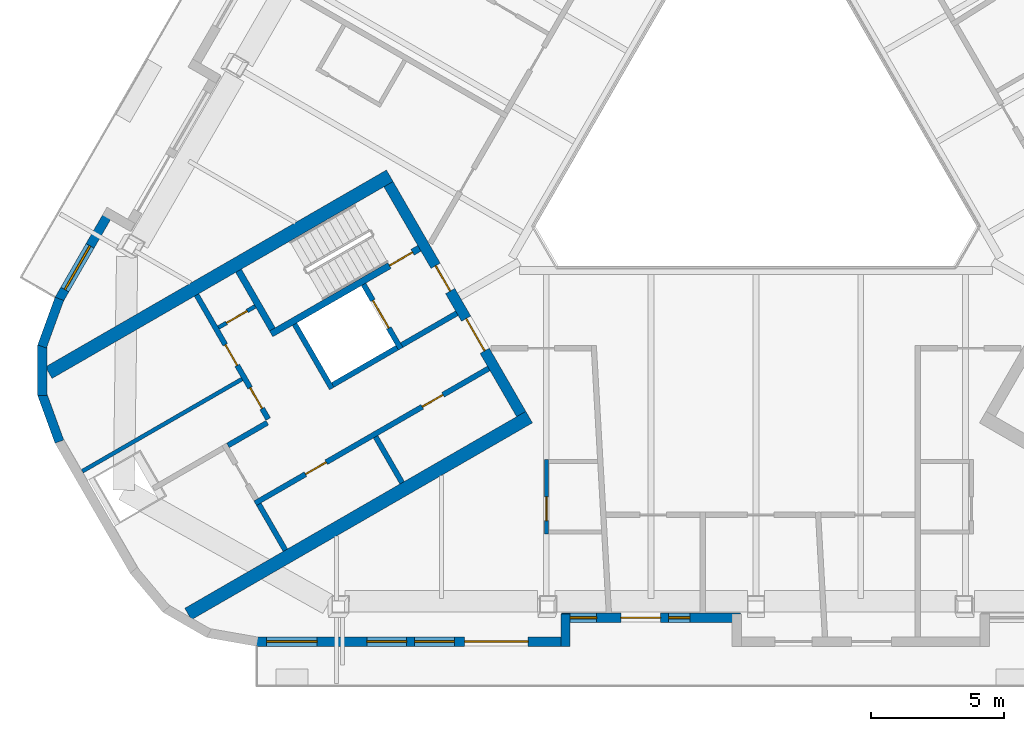
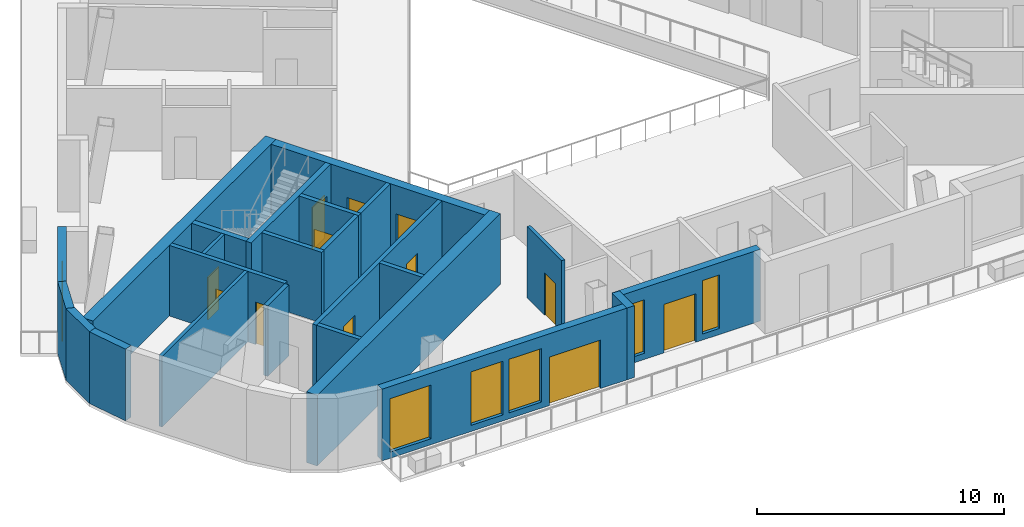
# One storey, part 3 of 14: 24 walls, 12 doors, 6 windows, 18 openings.
"""IFC4 building model written with IfcOpenShell, lengths in metres."""

from ifc_helpers import new_model, si_unit, direction, frame, frame_2d, origin, place, context, subcontext, project, spatial, rectangle, extrude, material, layer, layer_set, type_object, element, fill, save


model = new_model("IFC4")

# Units and contexts
model_context = context("Model", 3, precision=1e-05, world=origin(), true_north=direction((0.0, 1.0)))
body_context = subcontext(model_context, "Body", "Model", "MODEL_VIEW")
ifc_project = project(units=[si_unit("LENGTHUNIT", "METRE"), si_unit("AREAUNIT", "SQUARE_METRE"), si_unit("VOLUMEUNIT", "CUBIC_METRE"), si_unit("PLANEANGLEUNIT", "RADIAN"), si_unit("MASSUNIT", "GRAM", prefix="KILO")], contexts=[model_context])

# Site, building, storey
site_placement = place(None, origin())
site = spatial("IfcSite", under=ifc_project, at=site_placement, CompositionType="ELEMENT")
building_placement = place(site_placement, origin())
building = spatial("IfcBuilding", under=site, at=building_placement, Name="Apuvela Tower Hotel", CompositionType="ELEMENT")
storey_placement = place(building_placement, frame((0.0, 0.0, 254.10009765625)))
storey = spatial("IfcBuildingStorey", under=building, at=storey_placement, Name="L62", CompositionType="ELEMENT", Elevation=254.10009765625)

# Wall, openings, doors
ifc_material_1 = material(Name="Concrete C50/60", Category="concrete")
ifc_layer_1 = layer(ifc_material_1, 0.39990234375)
ifc_layer_set_1 = layer_set([ifc_layer_1], Name="COR-WALL-CORE-400")
wall_type_1 = type_object("IfcWallType", Name="COR-WALL-CORE-400", PredefinedType="SHEAR", material=ifc_layer_set_1)
wall_1_placement = place(storey_placement, frame((-13.844970703125, -2.219970703125, 0.0), z_axis=(0.0, 0.0, 1.0), x_axis=(0.500004234368, -0.866022959057, 0.0)))
wall_1 = element("IfcWall", 1, at=wall_1_placement, inside=storey, type_object=wall_type_1, Name="Core wall SW", PredefinedType="SHEAR", context=body_context, shape_type="SweptSolid", body=[
    extrude(rectangle(XDim=10.0, YDim=0.39990234375, at=frame_2d((5.0, 0.0))), origin(), (0.0, 0.0, 1.0), 3.5),
])
opening_1_placement = place(wall_1_placement, frame((3.550048828125, 0.0, 0.0)))
opening_1 = element("IfcOpeningElement", 2, at=opening_1_placement, cuts=wall_1, Name="Opening W-FD", PredefinedType="OPENING", context=body_context, shape_type="SweptSolid", body=[
    extrude(rectangle(XDim=1.10009765625, YDim=2.10009765625, at=frame_2d((0.550048828125, 1.050048828125))), frame((0.0, 0.2099609375, 0.0), z_axis=(0.0, -1.0, 0.0), x_axis=(1.0, 0.0, 0.0)), (0.0, 0.0, 1.0), 0.419921875),
])
opening_2_placement = place(wall_1_placement, frame((5.85009765625, 0.0, 0.0)))
opening_2 = element("IfcOpeningElement", 3, at=opening_2_placement, cuts=wall_1, Name="Opening W-GD", PredefinedType="OPENING", context=body_context, shape_type="SweptSolid", body=[
    extrude(rectangle(XDim=1.39990234375, YDim=2.10009765625, at=frame_2d((0.699951171875, 1.050048828125))), frame((0.0, 0.2099609375, 0.0), z_axis=(0.0, -1.0, 0.0), x_axis=(1.0, 0.0, 0.0)), (0.0, 0.0, 1.0), 0.419921875),
])
ifc_material_2 = material(Name="Steel fire door, powder coated", Category="steel")
door_type_1 = type_object("IfcDoorType", Name="COR-FD-1100", OperationType="NOTDEFINED", PredefinedType="DOOR", material=ifc_material_2)
door_1_placement = place(opening_1_placement, frame((1.10009765625, 0.0, 0.0), z_axis=(0.0, 0.0, 1.0), x_axis=(-1.0, 0.0, 0.0)))
door_1 = element("IfcDoor", 4, at=door_1_placement, inside=storey, type_object=door_type_1, Name="Firefighting lobby door W-FD", OperationType="SINGLE_SWING_LEFT", OverallHeight=2.10009765625, OverallWidth=1.10009765625, PredefinedType="DOOR", context=body_context, shape_type="SweptSolid", body=[
    extrude(rectangle(XDim=1.10009765625, YDim=2.10009765625, at=frame_2d((0.550048828125, 1.050048828125))), frame((0.0, 0.02490234375, 0.0), z_axis=(0.0, -1.0, 0.0), x_axis=(1.0, 0.0, 0.0)), (0.0, 0.0, 1.0), 0.050048828125),
])
fill(opening_1, door_1)
ifc_material_3 = material(Name="Glazed steel fire door", Category="steel")
door_type_2 = type_object("IfcDoorType", Name="COR-GD-1400", OperationType="DOUBLE_DOOR_SINGLE_SWING", PredefinedType="DOOR", material=ifc_material_3)
door_2_placement = place(opening_2_placement, frame((1.39990234375, 0.0, 0.0), z_axis=(0.0, 0.0, 1.0), x_axis=(-1.0, 0.0, 0.0)))
door_2 = element("IfcDoor", 5, at=door_2_placement, inside=storey, type_object=door_type_2, Name="Lift lobby door W-GD", OperationType="DOUBLE_DOOR_SINGLE_SWING", OverallHeight=2.10009765625, OverallWidth=1.39990234375, PredefinedType="DOOR", context=body_context, shape_type="SweptSolid", body=[
    extrude(rectangle(XDim=1.39990234375, YDim=2.10009765625, at=frame_2d((0.699951171875, 1.050048828125))), frame((0.0, 0.02490234375, 0.0), z_axis=(0.0, -1.0, 0.0), x_axis=(1.0, 0.0, 0.0)), (0.0, 0.0, 1.0), 0.050048828125),
])
fill(opening_2, door_2)

# Walls
ifc_layer_2 = layer(ifc_material_1, 0.5)
ifc_layer_set_2 = layer_set([ifc_layer_2], Name="COR-WALL-CORE-500")
wall_type_2 = type_object("IfcWallType", Name="COR-WALL-CORE-500", PredefinedType="SHEAR", material=ifc_layer_set_2)
for number, where, z_axis, x_axis, name in (
    (6, (-13.796630859375, -1.9033203125, 0.0), (0.0, 0.0, 1.0), (-0.866025009528, -0.500000682871, 0.0), "Core wall SW"),
    (7, (-8.546630859375, -10.99658203125, 0.0), (0.0, 0.0, 1.0), (-0.866025009528, -0.500000682871, 0.0), "Core wall SW"),
):
    element("IfcWall", number, at=place(storey_placement, frame(where, z_axis=z_axis, x_axis=x_axis)), inside=storey, type_object=wall_type_2, Name=name, PredefinedType="SHEAR", context=body_context, shape_type="SweptSolid", body=[
        extrude(rectangle(XDim=14.8369140625, YDim=0.5, at=frame_2d((7.41845703125, 0.0))), origin(), (0.0, 0.0, 1.0), 3.5),
    ])

# Wall, opening, door
ifc_material_4 = material(Name="Blockwork 150 mm plastered", Category="masonry")
ifc_layer_3 = layer(ifc_material_4, 0.14990234375)
ifc_layer_set_3 = layer_set([ifc_layer_3], Name="COR-WALL-PART-150")
wall_type_3 = type_object("IfcWallType", Name="COR-WALL-PART-150", PredefinedType="PARTITIONING", material=ifc_layer_set_3)
wall_2_placement = place(storey_placement, frame((-18.866455078125, -6.822265625, 0.0), z_axis=(0.0, 0.0, 1.0), x_axis=(-0.866028054938, -0.499995408039, 0.0)))
wall_2 = element("IfcWall", 8, at=wall_2_placement, inside=storey, type_object=wall_type_3, Name="Partition SW", PredefinedType="PARTITIONING", context=body_context, shape_type="SweptSolid", body=[
    extrude(rectangle(XDim=1.60009765625, YDim=0.14990234375, at=frame_2d((0.800048828125, 0.0))), origin(), (0.0, 0.0, 1.0), 3.5),
])
opening_3_placement = place(wall_2_placement, frame((0.35009765625, 0.0, 0.0)))
opening_3 = element("IfcOpeningElement", 9, at=opening_3_placement, cuts=wall_2, Name="Opening W-RD", PredefinedType="OPENING", context=body_context, shape_type="SweptSolid", body=[
    extrude(rectangle(XDim=0.89990234375, YDim=2.10009765625, at=frame_2d((0.449951171875, 1.050048828125))), frame((0.0, 0.0849609375, 0.0), z_axis=(0.0, -1.0, 0.0), x_axis=(1.0, 0.0, 0.0)), (0.0, 0.0, 1.0), 0.169921875),
])
ifc_material_5 = material(Name="Steel access door, powder coated", Category="steel")
door_type_3 = type_object("IfcDoorType", Name="COR-RD-900", OperationType="NOTDEFINED", PredefinedType="DOOR", material=ifc_material_5)
door_3_placement = place(opening_3_placement, frame((0.89990234375, 0.0, 0.0), z_axis=(0.0, 0.0, 1.0), x_axis=(-1.0, 0.0, 0.0)))
door_3 = element("IfcDoor", 10, at=door_3_placement, inside=storey, type_object=door_type_3, Name="Riser door W-RD", OperationType="SINGLE_SWING_RIGHT", OverallHeight=2.10009765625, OverallWidth=0.89990234375, PredefinedType="DOOR", context=body_context, shape_type="SweptSolid", body=[
    extrude(rectangle(XDim=0.89990234375, YDim=2.10009765625, at=frame_2d((0.449951171875, 1.050048828125))), frame((0.0, 0.02490234375, 0.0), z_axis=(0.0, -1.0, 0.0), x_axis=(1.0, 0.0, 0.0)), (0.0, 0.0, 1.0), 0.050048828125),
])
fill(opening_3, door_3)

# Wall
wall_3_placement = place(storey_placement, frame((-19.36279296875, -9.5625, 0.0), z_axis=(0.0, 0.0, 1.0), x_axis=(-0.866016523273, -0.500015381182, 0.0)))
element("IfcWall", 11, at=wall_3_placement, inside=storey, type_object=wall_type_3, Name="Partition SW", PredefinedType="PARTITIONING", context=body_context, shape_type="SweptSolid", body=[
    extrude(rectangle(XDim=6.949951171875, YDim=0.14990234375, at=frame_2d((3.47509765625, 0.0))), origin(), (0.0, 0.0, 1.0), 3.5),
])

# Wall, openings, doors
ifc_material_6 = material(Name="Blockwork 200 mm plastered", Category="masonry")
ifc_layer_4 = layer(ifc_material_6, 0.199951171875)
ifc_layer_set_4 = layer_set([ifc_layer_4], Name="COR-WALL-PART-200")
wall_type_4 = type_object("IfcWallType", Name="COR-WALL-PART-200", PredefinedType="PARTITIONING", material=ifc_layer_set_4)
wall_4_placement = place(storey_placement, frame((-21.076171875, -6.39501953125, 0.0), z_axis=(0.0, 0.0, 1.0), x_axis=(0.50001468107, -0.866016927499, 0.0)))
wall_4 = element("IfcWall", 12, at=wall_4_placement, inside=storey, type_object=wall_type_4, Name="Partition SW", PredefinedType="PARTITIONING", context=body_context, shape_type="SweptSolid", body=[
    extrude(rectangle(XDim=5.399658203125, YDim=0.199951171875, at=frame_2d((2.69970703125, 0.0))), origin(), (0.0, 0.0, 1.0), 3.5),
])
opening_4_placement = place(wall_4_placement, frame((2.16259765625, 0.0, 0.0)))
opening_4 = element("IfcOpeningElement", 13, at=opening_4_placement, cuts=wall_4, Name="Opening W-RS1", PredefinedType="OPENING", context=body_context, shape_type="SweptSolid", body=[
    extrude(rectangle(XDim=0.89990234375, YDim=2.10009765625, at=frame_2d((0.449951171875, 1.050048828125))), frame((0.0, 0.10986328125, 0.0), z_axis=(0.0, -1.0, 0.0), x_axis=(1.0, 0.0, 0.0)), (0.0, 0.0, 1.0), 0.219970703125),
])
opening_5_placement = place(wall_4_placement, frame((4.03759765625, 0.0, 0.0)))
opening_5 = element("IfcOpeningElement", 14, at=opening_5_placement, cuts=wall_4, Name="Opening W-RS2", PredefinedType="OPENING", context=body_context, shape_type="SweptSolid", body=[
    extrude(rectangle(XDim=0.89990234375, YDim=2.10009765625, at=frame_2d((0.449951171875, 1.050048828125))), frame((0.0, 0.10986328125, 0.0), z_axis=(0.0, -1.0, 0.0), x_axis=(1.0, 0.0, 0.0)), (0.0, 0.0, 1.0), 0.219970703125),
])
door_type_4 = type_object("IfcDoorType", Name="COR-DR-900", OperationType="NOTDEFINED", PredefinedType="DOOR", material=ifc_material_2)
door_4_placement = place(opening_4_placement, frame((0.89990234375, 0.0, 0.0), z_axis=(0.0, 0.0, 1.0), x_axis=(-1.0, 0.0, 0.0)))
door_4 = element("IfcDoor", 15, at=door_4_placement, inside=storey, type_object=door_type_4, Name="Store door W-RS1", OperationType="SINGLE_SWING_LEFT", OverallHeight=2.10009765625, OverallWidth=0.89990234375, PredefinedType="DOOR", context=body_context, shape_type="SweptSolid", body=[
    extrude(rectangle(XDim=0.89990234375, YDim=2.10009765625, at=frame_2d((0.449951171875, 1.050048828125))), frame((0.0, 0.02490234375, 0.0), z_axis=(0.0, -1.0, 0.0), x_axis=(1.0, 0.0, 0.0)), (0.0, 0.0, 1.0), 0.050048828125),
])
fill(opening_4, door_4)
door_5_placement = place(opening_5_placement, frame((0.89990234375, 0.0, 0.0), z_axis=(0.0, 0.0, 1.0), x_axis=(-1.0, 0.0, 0.0)))
door_5 = element("IfcDoor", 16, at=door_5_placement, inside=storey, type_object=door_type_4, Name="Store door W-RS2", OperationType="SINGLE_SWING_LEFT", OverallHeight=2.10009765625, OverallWidth=0.89990234375, PredefinedType="DOOR", context=body_context, shape_type="SweptSolid", body=[
    extrude(rectangle(XDim=0.89990234375, YDim=2.10009765625, at=frame_2d((0.449951171875, 1.050048828125))), frame((0.0, 0.02490234375, 0.0), z_axis=(0.0, -1.0, 0.0), x_axis=(1.0, 0.0, 0.0)), (0.0, 0.0, 1.0), 0.050048828125),
])
fill(opening_5, door_5)

# Wall
ifc_layer_5 = layer(ifc_material_1, 0.199951171875)
ifc_layer_set_5 = layer_set([ifc_layer_5], Name="COR-WALL-SHAFT-200")
wall_type_5 = type_object("IfcWallType", Name="COR-WALL-SHAFT-200", PredefinedType="SHEAR", material=ifc_layer_set_5)
wall_5_placement = place(storey_placement, frame((-17.38134765625, -7.49462890625, 0.0), z_axis=(0.0, 0.0, 1.0), x_axis=(0.500011755427, -0.866018616679, 0.0)))
element("IfcWall", 17, at=wall_5_placement, inside=storey, type_object=wall_type_5, Name="Shaft wall SW", PredefinedType="SHEAR", context=body_context, shape_type="SweptSolid", body=[
    extrude(rectangle(XDim=2.80029296875, YDim=0.199951171875, at=frame_2d((1.400146484375, 0.0))), origin(), (0.0, 0.0, 1.0), 3.5),
])

# Wall, opening, door
wall_6_placement = place(storey_placement, frame((-14.783203125, -5.99462890625, 0.0), z_axis=(0.0, 0.0, 1.0), x_axis=(0.49994636267, -0.866056369097, 0.0)))
wall_6 = element("IfcWall", 18, at=wall_6_placement, inside=storey, type_object=wall_type_5, Name="Shaft wall SW", PredefinedType="SHEAR", context=body_context, shape_type="SweptSolid", body=[
    extrude(rectangle(XDim=2.800048828125, YDim=0.199951171875, at=frame_2d((1.39990234375, 0.0))), origin(), (0.0, 0.0, 1.0), 3.5),
])
opening_6_placement = place(wall_6_placement, frame((0.699951171875, 0.0, 0.0)))
opening_6 = element("IfcOpeningElement", 19, at=opening_6_placement, cuts=wall_6, Name="Opening W-LD-FS2", PredefinedType="OPENING", context=body_context, shape_type="SweptSolid", body=[
    extrude(rectangle(XDim=1.199951171875, YDim=2.10009765625, at=frame_2d((0.60009765625, 1.050048828125))), frame((0.0, 0.10986328125, 0.0), z_axis=(0.0, -1.0, 0.0), x_axis=(1.0, 0.0, 0.0)), (0.0, 0.0, 1.0), 0.219970703125),
])
ifc_material_7 = material(Name="Stainless steel lift landing door", Category="steel")
door_type_5 = type_object("IfcDoorType", Name="COR-LD-1200", OperationType="DOUBLE_DOOR_SLIDING", PredefinedType="DOOR", material=ifc_material_7)
door_6_placement = place(opening_6_placement, origin())
door_6 = element("IfcDoor", 20, at=door_6_placement, inside=storey, type_object=door_type_5, Name="Lift landing door W-LD-FS2", OperationType="DOUBLE_DOOR_SLIDING", OverallHeight=2.10009765625, OverallWidth=1.199951171875, PredefinedType="DOOR", context=body_context, shape_type="SweptSolid", body=[
    extrude(rectangle(XDim=1.199951171875, YDim=2.10009765625, at=frame_2d((0.60009765625, 1.050048828125))), frame((0.0, 0.02490234375, 0.0), z_axis=(0.0, -1.0, 0.0), x_axis=(1.0, 0.0, 0.0)), (0.0, 0.0, 1.0), 0.050048828125),
])
fill(opening_6, door_6)

# Walls
wall_7_placement = place(storey_placement, frame((-13.519775390625, -8.383056640625, 0.0), z_axis=(0.0, 0.0, 1.0), x_axis=(-0.866034573852, -0.49998411664, 0.0)))
element("IfcWall", 21, at=wall_7_placement, inside=storey, type_object=wall_type_5, Name="Shaft wall SW", PredefinedType="SHEAR", context=body_context, shape_type="SweptSolid", body=[
    extrude(rectangle(XDim=2.7998046875, YDim=0.199951171875, at=frame_2d((1.39990234375, 0.0))), origin(), (0.0, 0.0, 1.0), 3.5),
])
wall_8_placement = place(storey_placement, frame((-11.26806640625, -7.0830078125, 0.0), z_axis=(0.0, 0.0, 1.0), x_axis=(-0.866050077142, -0.499957262057, 0.0)))
element("IfcWall", 22, at=wall_8_placement, inside=storey, type_object=wall_type_5, Name="Shaft wall SW", PredefinedType="SHEAR", context=body_context, shape_type="SweptSolid", body=[
    extrude(rectangle(XDim=2.400146484375, YDim=0.199951171875, at=frame_2d((1.2001953125, 0.0))), origin(), (0.0, 0.0, 1.0), 3.5),
])

# Wall, openings, doors
wall_9_placement = place(storey_placement, frame((-10.068115234375, -9.16162109375, 0.0), z_axis=(0.0, 0.0, 1.0), x_axis=(-0.866032725843, -0.499987317609, 0.0)))
wall_9 = element("IfcWall", 23, at=wall_9_placement, inside=storey, type_object=wall_type_5, Name="Shaft wall SW", PredefinedType="SHEAR", context=body_context, shape_type="SweptSolid", body=[
    extrude(rectangle(XDim=10.159912109375, YDim=0.199951171875, at=frame_2d((5.080078125, 0.0))), origin(), (0.0, 0.0, 1.0), 3.5),
])
opening_7_placement = place(wall_9_placement, frame((1.989990234375, 0.0, 0.0)))
opening_7 = element("IfcOpeningElement", 24, at=opening_7_placement, cuts=wall_9, Name="Opening W-RE1", PredefinedType="OPENING", context=body_context, shape_type="SweptSolid", body=[
    extrude(rectangle(XDim=0.89990234375, YDim=2.10009765625, at=frame_2d((0.449951171875, 1.050048828125))), frame((0.0, 0.10986328125, 0.0), z_axis=(0.0, -1.0, 0.0), x_axis=(1.0, 0.0, 0.0)), (0.0, 0.0, 1.0), 0.219970703125),
])
opening_8_placement = place(wall_9_placement, frame((7.070068359375, 0.0, 0.0)))
opening_8 = element("IfcOpeningElement", 25, at=opening_8_placement, cuts=wall_9, Name="Opening W-RE3", PredefinedType="OPENING", context=body_context, shape_type="SweptSolid", body=[
    extrude(rectangle(XDim=0.89990234375, YDim=2.10009765625, at=frame_2d((0.449951171875, 1.050048828125))), frame((0.0, 0.10986328125, 0.0), z_axis=(0.0, -1.0, 0.0), x_axis=(1.0, 0.0, 0.0)), (0.0, 0.0, 1.0), 0.219970703125),
])
door_7_placement = place(opening_7_placement, origin())
door_7 = element("IfcDoor", 26, at=door_7_placement, inside=storey, type_object=door_type_4, Name="Store door W-RE1", OperationType="SINGLE_SWING_LEFT", OverallHeight=2.10009765625, OverallWidth=0.89990234375, PredefinedType="DOOR", context=body_context, shape_type="SweptSolid", body=[
    extrude(rectangle(XDim=0.89990234375, YDim=2.10009765625, at=frame_2d((0.449951171875, 1.050048828125))), frame((0.0, 0.02490234375, 0.0), z_axis=(0.0, -1.0, 0.0), x_axis=(1.0, 0.0, 0.0)), (0.0, 0.0, 1.0), 0.050048828125),
])
fill(opening_7, door_7)
door_8_placement = place(opening_8_placement, origin())
door_8 = element("IfcDoor", 27, at=door_8_placement, inside=storey, type_object=door_type_4, Name="Store door W-RE3", OperationType="SINGLE_SWING_LEFT", OverallHeight=2.10009765625, OverallWidth=0.89990234375, PredefinedType="DOOR", context=body_context, shape_type="SweptSolid", body=[
    extrude(rectangle(XDim=0.89990234375, YDim=2.10009765625, at=frame_2d((0.449951171875, 1.050048828125))), frame((0.0, 0.02490234375, 0.0), z_axis=(0.0, -1.0, 0.0), x_axis=(1.0, 0.0, 0.0)), (0.0, 0.0, 1.0), 0.050048828125),
])
fill(opening_8, door_8)

# Walls
wall_10_placement = place(storey_placement, frame((-18.412841796875, -11.2080078125, 0.0), z_axis=(0.0, 0.0, 1.0), x_axis=(-0.866038183914, -0.499977863513, 0.0)))
element("IfcWall", 28, at=wall_10_placement, inside=storey, type_object=wall_type_5, Name="Shaft wall SW", PredefinedType="SHEAR", context=body_context, shape_type="SweptSolid", body=[
    extrude(rectangle(XDim=1.7099609375, YDim=0.199951171875, at=frame_2d((0.85498046875, 0.0))), origin(), (0.0, 0.0, 1.0), 3.5),
])
for number, where, z_axis, x_axis, name in (
    (29, (-14.330810546875, -11.738037109375, 0.0), (0.0, 0.0, 1.0), (0.499972520799, -0.866041268327, 0.0), "Shaft wall SW"),
    (30, (-18.73046875, -14.278076171875, 0.0), (0.0, 0.0, 1.0), (0.50002537861, -0.866010750942, 0.0), "Shaft wall SW"),
):
    element("IfcWall", number, at=place(storey_placement, frame(where, z_axis=z_axis, x_axis=x_axis)), inside=storey, type_object=wall_type_5, Name=name, PredefinedType="SHEAR", context=body_context, shape_type="SweptSolid", body=[
        extrude(rectangle(XDim=2.0, YDim=0.199951171875, at=frame_2d((1.0, 0.0))), origin(), (0.0, 0.0, 1.0), 3.5),
    ])

# Wall, opening, door
ifc_layer_6 = layer(ifc_material_1, 0.25)
ifc_layer_set_6 = layer_set([ifc_layer_6], Name="COR-WALL-STAIR-250")
wall_type_6 = type_object("IfcWallType", Name="COR-WALL-STAIR-250", PredefinedType="SHEAR", material=ifc_layer_set_6)
wall_11_placement = place(storey_placement, frame((-12.6806640625, -4.636474609375, 0.0), z_axis=(0.0, 0.0, 1.0), x_axis=(-0.866021702275, -0.500006411147, 0.0)))
wall_11 = element("IfcWall", 31, at=wall_11_placement, inside=storey, type_object=wall_type_6, Name="Stair wall SW", PredefinedType="SHEAR", context=body_context, shape_type="SweptSolid", body=[
    extrude(rectangle(XDim=6.4501953125, YDim=0.25, at=frame_2d((3.22509765625, 0.0))), origin(), (0.0, 0.0, 1.0), 3.5),
])
opening_9_placement = place(wall_11_placement, frame((0.300048828125, 0.0, 0.0)))
opening_9 = element("IfcOpeningElement", 32, at=opening_9_placement, cuts=wall_11, Name="Opening W-SD", PredefinedType="OPENING", context=body_context, shape_type="SweptSolid", body=[
    extrude(rectangle(XDim=1.0, YDim=2.10009765625, at=frame_2d((0.5, 1.050048828125))), frame((0.0, 0.135009765625, 0.0), z_axis=(0.0, -1.0, 0.0), x_axis=(1.0, 0.0, 0.0)), (0.0, 0.0, 1.0), 0.27001953125),
])
door_type_6 = type_object("IfcDoorType", Name="COR-SD-1000", OperationType="NOTDEFINED", PredefinedType="DOOR", material=ifc_material_2)
door_9_placement = place(opening_9_placement, frame((1.0, 0.0, 0.0), z_axis=(0.0, 0.0, 1.0), x_axis=(-1.0, 0.0, 0.0)))
door_9 = element("IfcDoor", 33, at=door_9_placement, inside=storey, type_object=door_type_6, Name="Stair door W-SD", OperationType="SINGLE_SWING_LEFT", OverallHeight=2.10009765625, OverallWidth=1.0, PredefinedType="DOOR", context=body_context, shape_type="SweptSolid", body=[
    extrude(rectangle(XDim=1.0, YDim=2.10009765625, at=frame_2d((0.5, 1.050048828125))), frame((0.0, 0.02490234375, 0.0), z_axis=(0.0, -1.0, 0.0), x_axis=(1.0, 0.0, 0.0)), (0.0, 0.0, 1.0), 0.050048828125),
])
fill(opening_9, door_9)

# Wall
wall_12_placement = place(storey_placement, frame((-19.49560546875, -5.482421875, 0.0), z_axis=(0.0, 0.0, 1.0), x_axis=(0.499990435942, -0.866030925526, 0.0)))
element("IfcWall", 34, at=wall_12_placement, inside=storey, type_object=wall_type_6, Name="Stair wall SW", PredefinedType="SHEAR", context=body_context, shape_type="SweptSolid", body=[
    extrude(rectangle(XDim=2.5498046875, YDim=0.25, at=frame_2d((1.27490234375, 0.0))), origin(), (0.0, 0.0, 1.0), 3.5),
])

# Wall, opening, window
ifc_material_8 = material(Name="Concrete C40/50, dark pigmented precast panel", Category="concrete")
ifc_layer_7 = layer(ifc_material_8, 0.35009765625)
ifc_layer_set_7 = layer_set([ifc_layer_7], Name="ENV-WALL-350")
wall_type_7 = type_object("IfcWallType", Name="ENV-WALL-350", PredefinedType="SOLIDWALL", material=ifc_layer_set_7)
wall_13_placement = place(storey_placement, frame((-24.298583984375, -3.17626953125, 0.0), z_axis=(0.0, 0.0, 1.0), x_axis=(-0.500028278809, -0.866009076391, 0.0)))
wall_13 = element("IfcWall", 35, at=wall_13_placement, inside=storey, type_object=wall_type_7, Name="External wall L62-09", PredefinedType="SOLIDWALL", context=body_context, shape_type="SweptSolid", body=[
    extrude(rectangle(XDim=3.915771484375, YDim=0.35009765625, at=frame_2d((1.9580078125, 0.0))), origin(), (0.0, 0.0, 1.0), 3.5498046875),
])
opening_10_placement = place(wall_13_placement, frame((1.581298828125, 0.0, 0.300048828125)))
opening_10 = element("IfcOpeningElement", 36, at=opening_10_placement, cuts=wall_13, Name="Opening WN19", PredefinedType="OPENING", context=body_context, shape_type="SweptSolid", body=[
    extrude(rectangle(XDim=1.89990234375, YDim=2.64990234375, at=frame_2d((0.949951171875, 1.324951171875))), frame((0.0, 0.18505859375, 0.0), z_axis=(0.0, -1.0, 0.0), x_axis=(1.0, 0.0, 0.0)), (0.0, 0.0, 1.0), 0.3701171875),
])
ifc_material_9 = material(Name="Glass, dark tinted laminated insulated glazing unit", Category="glass")
window_type_1 = type_object("IfcWindowType", Name="ENV-WIN-1900x2650", PartitioningType="SINGLE_PANEL", PredefinedType="WINDOW", material=ifc_material_9)
window_1_placement = place(opening_10_placement, origin())
window_1 = element("IfcWindow", 37, at=window_1_placement, inside=storey, type_object=window_type_1, Name="Window WN19", OverallHeight=2.64990234375, OverallWidth=1.89990234375, PartitioningType="SINGLE_PANEL", PredefinedType="WINDOW", context=body_context, shape_type="SweptSolid", body=[
    extrude(rectangle(XDim=1.89990234375, YDim=2.64990234375, at=frame_2d((0.949951171875, 1.324951171875))), frame((0.0, 0.030029296875, 0.0), z_axis=(0.0, -1.0, 0.0), x_axis=(1.0, 0.0, 0.0)), (0.0, 0.0, 1.0), 0.06005859375),
])
fill(opening_10, window_1)

# Walls
for number, where, z_axis, x_axis, name in (
    (38, (-26.24365234375, -6.539794921875, 0.0), (0.0, 0.0, 1.0), (-0.342030395486, -0.939688889242, 0.0), "External wall L62-10"),
    (39, (-26.88623046875, -8.27490234375, 0.0), (0.0, 0.0, 1.0), (0.0, -1.0, 0.0), "External wall L62-11"),
    (40, (-26.89697265625, -10.125244140625, 0.0), (0.0, 0.0, 1.0), (0.342030395486, -0.939688889242, 0.0), "External wall L62-12"),
):
    element("IfcWall", number, at=place(storey_placement, frame(where, z_axis=z_axis, x_axis=x_axis)), inside=storey, type_object=wall_type_7, Name=name, PredefinedType="SOLIDWALL", context=body_context, shape_type="SweptSolid", body=[
        extrude(rectangle(XDim=1.91015625, YDim=0.35009765625, at=frame_2d((0.955078125, 0.0))), origin(), (0.0, 0.0, 1.0), 3.5498046875),
    ])

# Wall, openings, door, windows
wall_14_placement = place(storey_placement, frame((-18.81591796875, -19.455078125, 0.0), z_axis=(0.0, 0.0, 1.0), x_axis=(1.0, 0.0, 0.0)))
wall_14 = element("IfcWall", 41, at=wall_14_placement, inside=storey, type_object=wall_type_7, Name="External wall L62-17", PredefinedType="SOLIDWALL", context=body_context, shape_type="SweptSolid", body=[
    extrude(rectangle(XDim=11.81591796875, YDim=0.35009765625, at=frame_2d((5.907958984375, 0.0))), origin(), (0.0, 0.0, 1.0), 3.5498046875),
])
opening_11_placement = place(wall_14_placement, frame((0.380615234375, 0.0, 0.300048828125)))
opening_11 = element("IfcOpeningElement", 42, at=opening_11_placement, cuts=wall_14, Name="Opening WN19", PredefinedType="OPENING", context=body_context, shape_type="SweptSolid", body=[
    extrude(rectangle(XDim=1.89990234375, YDim=2.64990234375, at=frame_2d((0.949951171875, 1.324951171875))), frame((0.0, 0.18505859375, 0.0), z_axis=(0.0, -1.0, 0.0), x_axis=(1.0, 0.0, 0.0)), (0.0, 0.0, 1.0), 0.3701171875),
])
opening_12_placement = place(wall_14_placement, frame((7.836181640625, 0.0, 0.0)))
opening_12 = element("IfcOpeningElement", 43, at=opening_12_placement, cuts=wall_14, Name="Opening BD24", PredefinedType="OPENING", context=body_context, shape_type="SweptSolid", body=[
    extrude(rectangle(XDim=2.39990234375, YDim=2.39990234375, at=frame_2d((1.199951171875, 1.199951171875))), frame((0.0, 0.18505859375, 0.0), z_axis=(0.0, -1.0, 0.0), x_axis=(1.0, 0.0, 0.0)), (0.0, 0.0, 1.0), 0.3701171875),
])
opening_13_placement = place(wall_14_placement, frame((4.153076171875, 0.0, 0.300048828125)))
opening_13 = element("IfcOpeningElement", 44, at=opening_13_placement, cuts=wall_14, Name="Opening WN15", PredefinedType="OPENING", context=body_context, shape_type="SweptSolid", body=[
    extrude(rectangle(XDim=1.5, YDim=2.64990234375, at=frame_2d((0.75, 1.324951171875))), frame((0.0, 0.18505859375, 0.0), z_axis=(0.0, -1.0, 0.0), x_axis=(1.0, 0.0, 0.0)), (0.0, 0.0, 1.0), 0.3701171875),
])
opening_14_placement = place(wall_14_placement, frame((5.953125, 0.0, 0.300048828125)))
opening_14 = element("IfcOpeningElement", 45, at=opening_14_placement, cuts=wall_14, Name="Opening WN15", PredefinedType="OPENING", context=body_context, shape_type="SweptSolid", body=[
    extrude(rectangle(XDim=1.5, YDim=2.64990234375, at=frame_2d((0.75, 1.324951171875))), frame((0.0, 0.18505859375, 0.0), z_axis=(0.0, -1.0, 0.0), x_axis=(1.0, 0.0, 0.0)), (0.0, 0.0, 1.0), 0.3701171875),
])
ifc_material_10 = material(Name="Aluminium 6063-T6, dark bronze anodised frame with dark tinted laminated glass", Category="aluminium")
door_type_7 = type_object("IfcDoorType", Name="ENV-DOOR-BALCONY-2400x2400", OperationType="SLIDING_TO_LEFT", PredefinedType="DOOR", material=ifc_material_10)
door_10_placement = place(opening_12_placement, frame((2.39990234375, 0.0, 0.0), z_axis=(0.0, 0.0, 1.0), x_axis=(-1.0, 0.0, 0.0)))
door_10 = element("IfcDoor", 46, at=door_10_placement, inside=storey, type_object=door_type_7, Name="Balcony door BD24", OperationType="SLIDING_TO_LEFT", OverallHeight=2.39990234375, OverallWidth=2.39990234375, PredefinedType="DOOR", context=body_context, shape_type="SweptSolid", body=[
    extrude(rectangle(XDim=2.39990234375, YDim=2.39990234375, at=frame_2d((1.199951171875, 1.199951171875))), frame((0.0, 0.02490234375, 0.0), z_axis=(0.0, -1.0, 0.0), x_axis=(1.0, 0.0, 0.0)), (0.0, 0.0, 1.0), 0.050048828125),
])
fill(opening_12, door_10)
window_type_2 = type_object("IfcWindowType", Name="ENV-WIN-1500x2650", PartitioningType="SINGLE_PANEL", PredefinedType="WINDOW", material=ifc_material_9)
window_2_placement = place(opening_13_placement, origin())
window_2 = element("IfcWindow", 47, at=window_2_placement, inside=storey, type_object=window_type_2, Name="Window WN15", OverallHeight=2.64990234375, OverallWidth=1.5, PartitioningType="SINGLE_PANEL", PredefinedType="WINDOW", context=body_context, shape_type="SweptSolid", body=[
    extrude(rectangle(XDim=1.5, YDim=2.64990234375, at=frame_2d((0.75, 1.324951171875))), frame((0.0, 0.030029296875, 0.0), z_axis=(0.0, -1.0, 0.0), x_axis=(1.0, 0.0, 0.0)), (0.0, 0.0, 1.0), 0.06005859375),
])
fill(opening_13, window_2)
window_3_placement = place(opening_14_placement, origin())
window_3 = element("IfcWindow", 48, at=window_3_placement, inside=storey, type_object=window_type_2, Name="Window WN15", OverallHeight=2.64990234375, OverallWidth=1.5, PartitioningType="SINGLE_PANEL", PredefinedType="WINDOW", context=body_context, shape_type="SweptSolid", body=[
    extrude(rectangle(XDim=1.5, YDim=2.64990234375, at=frame_2d((0.75, 1.324951171875))), frame((0.0, 0.030029296875, 0.0), z_axis=(0.0, -1.0, 0.0), x_axis=(1.0, 0.0, 0.0)), (0.0, 0.0, 1.0), 0.06005859375),
])
fill(opening_14, window_3)
window_4_placement = place(opening_11_placement, origin())
window_4 = element("IfcWindow", 49, at=window_4_placement, inside=storey, type_object=window_type_1, Name="Window WN19", OverallHeight=2.64990234375, OverallWidth=1.89990234375, PartitioningType="SINGLE_PANEL", PredefinedType="WINDOW", context=body_context, shape_type="SweptSolid", body=[
    extrude(rectangle(XDim=1.89990234375, YDim=2.64990234375, at=frame_2d((0.949951171875, 1.324951171875))), frame((0.0, 0.030029296875, 0.0), z_axis=(0.0, -1.0, 0.0), x_axis=(1.0, 0.0, 0.0)), (0.0, 0.0, 1.0), 0.06005859375),
])
fill(opening_11, window_4)

# Wall
wall_15_placement = place(storey_placement, frame((-7.175048828125, -19.6298828125, 0.0), z_axis=(0.0, 0.0, 1.0), x_axis=(0.0, 1.0, 0.0)))
element("IfcWall", 50, at=wall_15_placement, inside=storey, type_object=wall_type_7, Name="External wall L62-18", PredefinedType="SOLIDWALL", context=body_context, shape_type="SweptSolid", body=[
    extrude(rectangle(XDim=1.219970703125, YDim=0.35009765625, at=frame_2d((0.60986328125, 0.0))), origin(), (0.0, 0.0, 1.0), 3.5498046875),
])

# Wall, openings, door, windows
wall_16_placement = place(storey_placement, frame((-7.320068359375, -18.554931640625, 0.0), z_axis=(0.0, 0.0, 1.0), x_axis=(1.0, 0.0, 0.0)))
wall_16 = element("IfcWall", 51, at=wall_16_placement, inside=storey, type_object=wall_type_7, Name="External wall L62-19", PredefinedType="SOLIDWALL", context=body_context, shape_type="SweptSolid", body=[
    extrude(rectangle(XDim=6.739990234375, YDim=0.35009765625, at=frame_2d((3.3701171875, 0.0))), origin(), (0.0, 0.0, 1.0), 3.5498046875),
])
opening_15_placement = place(wall_16_placement, frame((0.3203125, 0.0, 0.300048828125)))
opening_15 = element("IfcOpeningElement", 52, at=opening_15_placement, cuts=wall_16, Name="Opening WN10", PredefinedType="OPENING", context=body_context, shape_type="SweptSolid", body=[
    extrude(rectangle(XDim=1.0, YDim=2.64990234375, at=frame_2d((0.5, 1.324951171875))), frame((0.0, 0.18505859375, 0.0), z_axis=(0.0, -1.0, 0.0), x_axis=(1.0, 0.0, 0.0)), (0.0, 0.0, 1.0), 0.3701171875),
])
opening_16_placement = place(wall_16_placement, frame((2.228515625, 0.0, 0.0)))
opening_16 = element("IfcOpeningElement", 53, at=opening_16_placement, cuts=wall_16, Name="Opening BD15", PredefinedType="OPENING", context=body_context, shape_type="SweptSolid", body=[
    extrude(rectangle(XDim=1.5, YDim=2.39990234375, at=frame_2d((0.75, 1.199951171875))), frame((0.0, 0.18505859375, 0.0), z_axis=(0.0, -1.0, 0.0), x_axis=(1.0, 0.0, 0.0)), (0.0, 0.0, 1.0), 0.3701171875),
])
opening_17_placement = place(wall_16_placement, frame((4.028564453125, 0.0, 0.300048828125)))
opening_17 = element("IfcOpeningElement", 54, at=opening_17_placement, cuts=wall_16, Name="Opening WN08", PredefinedType="OPENING", context=body_context, shape_type="SweptSolid", body=[
    extrude(rectangle(XDim=0.800048828125, YDim=2.64990234375, at=frame_2d((0.39990234375, 1.324951171875))), frame((0.0, 0.18505859375, 0.0), z_axis=(0.0, -1.0, 0.0), x_axis=(1.0, 0.0, 0.0)), (0.0, 0.0, 1.0), 0.3701171875),
])
door_type_8 = type_object("IfcDoorType", Name="ENV-DOOR-BALCONY-1500x2400", OperationType="SLIDING_TO_LEFT", PredefinedType="DOOR", material=ifc_material_10)
door_11_placement = place(opening_16_placement, frame((1.5, 0.0, 0.0), z_axis=(0.0, 0.0, 1.0), x_axis=(-1.0, 0.0, 0.0)))
door_11 = element("IfcDoor", 55, at=door_11_placement, inside=storey, type_object=door_type_8, Name="Balcony door BD15", OperationType="SLIDING_TO_LEFT", OverallHeight=2.39990234375, OverallWidth=1.5, PredefinedType="DOOR", context=body_context, shape_type="SweptSolid", body=[
    extrude(rectangle(XDim=1.5, YDim=2.39990234375, at=frame_2d((0.75, 1.199951171875))), frame((0.0, 0.02490234375, 0.0), z_axis=(0.0, -1.0, 0.0), x_axis=(1.0, 0.0, 0.0)), (0.0, 0.0, 1.0), 0.050048828125),
])
fill(opening_16, door_11)
window_type_3 = type_object("IfcWindowType", Name="ENV-WIN-1000x2650", PartitioningType="SINGLE_PANEL", PredefinedType="WINDOW", material=ifc_material_9)
window_5_placement = place(opening_15_placement, origin())
window_5 = element("IfcWindow", 56, at=window_5_placement, inside=storey, type_object=window_type_3, Name="Window WN10", OverallHeight=2.64990234375, OverallWidth=1.0, PartitioningType="SINGLE_PANEL", PredefinedType="WINDOW", context=body_context, shape_type="SweptSolid", body=[
    extrude(rectangle(XDim=1.0, YDim=2.64990234375, at=frame_2d((0.5, 1.324951171875))), frame((0.0, 0.030029296875, 0.0), z_axis=(0.0, -1.0, 0.0), x_axis=(1.0, 0.0, 0.0)), (0.0, 0.0, 1.0), 0.06005859375),
])
fill(opening_15, window_5)
window_type_4 = type_object("IfcWindowType", Name="ENV-WIN-800x2650", PartitioningType="SINGLE_PANEL", PredefinedType="WINDOW", material=ifc_material_9)
window_6_placement = place(opening_17_placement, origin())
window_6 = element("IfcWindow", 57, at=window_6_placement, inside=storey, type_object=window_type_4, Name="Window WN08", OverallHeight=2.64990234375, OverallWidth=0.800048828125, PartitioningType="SINGLE_PANEL", PredefinedType="WINDOW", context=body_context, shape_type="SweptSolid", body=[
    extrude(rectangle(XDim=0.800048828125, YDim=2.64990234375, at=frame_2d((0.39990234375, 1.324951171875))), frame((0.0, 0.030029296875, 0.0), z_axis=(0.0, -1.0, 0.0), x_axis=(1.0, 0.0, 0.0)), (0.0, 0.0, 1.0), 0.06005859375),
])
fill(opening_17, window_6)

# Wall, opening, door
ifc_material_11 = material(Name="Moisture-resistant gypsum board wet wall on steel stud", Category="steel")
ifc_layer_8 = layer(ifc_material_11, 0.14990234375)
ifc_layer_set_8 = layer_set([ifc_layer_8], Name="GST-PW3")
wall_type_8 = type_object("IfcWallType", Name="GST-PW3", PredefinedType="PARTITIONING", material=ifc_layer_set_8)
wall_17_placement = place(storey_placement, frame((-7.893310546875, -12.60009765625, 0.0), z_axis=(0.0, 0.0, 1.0), x_axis=(0.0, -1.0, 0.0)))
wall_17 = element("IfcWall", 58, at=wall_17_placement, inside=storey, type_object=wall_type_8, Name="L62 partition 12", PredefinedType="PARTITIONING", context=body_context, shape_type="SweptSolid", body=[
    extrude(rectangle(XDim=2.7998046875, YDim=0.14990234375, at=frame_2d((1.39990234375, 0.0))), origin(), (0.0, 0.0, 1.0), 3.5498046875),
])
opening_18_placement = place(wall_17_placement, frame((1.39990234375, 0.0, 0.0)))
opening_18 = element("IfcOpeningElement", 59, at=opening_18_placement, cuts=wall_17, Name="Opening GD24-01", PredefinedType="OPENING", context=body_context, shape_type="SweptSolid", body=[
    extrude(rectangle(XDim=0.89990234375, YDim=2.10009765625, at=frame_2d((0.449951171875, 1.050048828125))), frame((0.0, 0.0849609375, 0.0), z_axis=(0.0, -1.0, 0.0), x_axis=(1.0, 0.0, 0.0)), (0.0, 0.0, 1.0), 0.169921875),
])
ifc_material_12 = material(Name="Timber door leaf in steel frame", Category="steel")
door_type_9 = type_object("IfcDoorType", Name="GST-D2", OperationType="NOTDEFINED", PredefinedType="DOOR", material=ifc_material_12)
door_12_placement = place(opening_18_placement, origin())
door_12 = element("IfcDoor", 60, at=door_12_placement, inside=storey, type_object=door_type_9, Name="Door L62-01", OperationType="SINGLE_SWING_RIGHT", OverallHeight=2.10009765625, OverallWidth=0.89990234375, PredefinedType="DOOR", context=body_context, shape_type="SweptSolid", body=[
    extrude(rectangle(XDim=0.89990234375, YDim=2.10009765625, at=frame_2d((0.449951171875, 1.050048828125))), frame((0.0, 0.02490234375, 0.0), z_axis=(0.0, -1.0, 0.0), x_axis=(1.0, 0.0, 0.0)), (0.0, 0.0, 1.0), 0.050048828125),
])
fill(opening_18, door_12)

save(model, "model.ifc")
